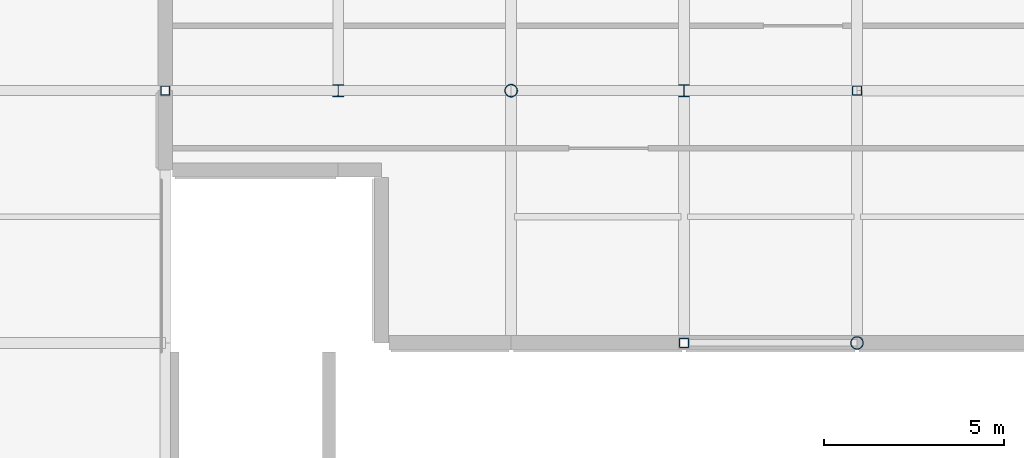
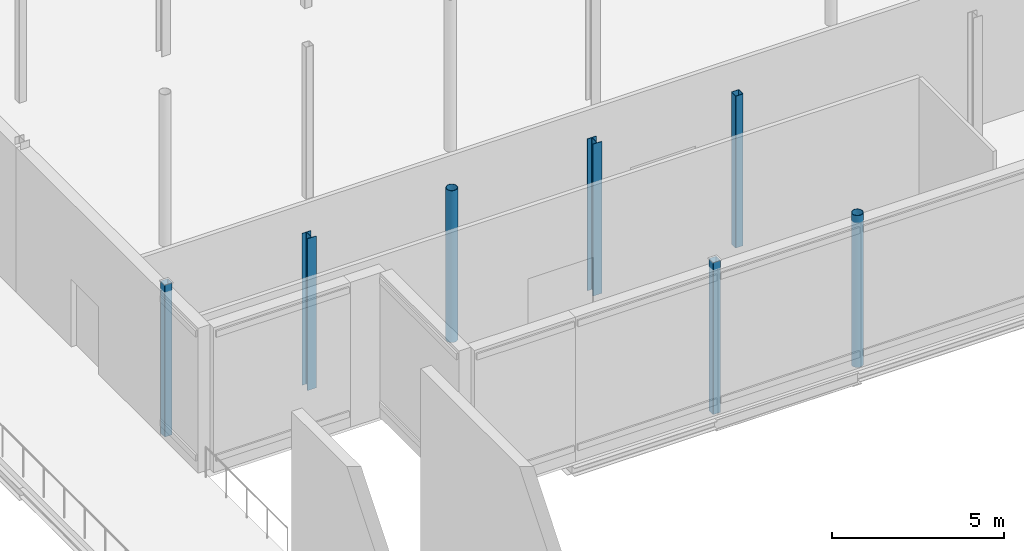
# One storey, part 3 of 147: 7 columns.
"""IFC4 building model written with IfcOpenShell, lengths in metres."""

from ifc_helpers import new_model, si_unit, direction, frame, origin, origin_2d, place, context, subcontext, project, spatial, hollow_rectangle, hollow_circle, i_section, extrude, material, material_profile, profile_set, type_object, element, save


model = new_model("IFC4")

# Units and contexts
model_context = context("Model", 3, precision=1e-05, world=origin(), true_north=direction((0.0, 1.0)))
body_context = subcontext(model_context, "Body", "Model", "MODEL_VIEW")
ifc_project = project(units=[si_unit("LENGTHUNIT", "METRE"), si_unit("AREAUNIT", "SQUARE_METRE"), si_unit("VOLUMEUNIT", "CUBIC_METRE"), si_unit("PLANEANGLEUNIT", "RADIAN"), si_unit("MASSUNIT", "GRAM", prefix="KILO")], contexts=[model_context])

# Site, building, storey
site_placement = place(None, origin())
site = spatial("IfcSite", under=ifc_project, at=site_placement, CompositionType="ELEMENT")
building_placement = place(site_placement, origin())
building = spatial("IfcBuilding", under=site, at=building_placement, Name="Vekula Escarpment Museum", CompositionType="ELEMENT")
storey_placement = place(building_placement, frame((0.0, 0.0, 7.800048828125)))
storey = spatial("IfcBuildingStorey", under=building, at=storey_placement, Name="L02", CompositionType="ELEMENT", Elevation=7.800048828125)

# Columns
ifc_material_1 = material(Name="Steel S355", Category="steel")
ifc_material_profile_1 = material_profile(ifc_material_1, hollow_circle(Radius=0.177734375, WallThickness=0.01611328125, at=origin_2d()), Name="CHS 355.6x16")
ifc_profile_set_1 = profile_set([ifc_material_profile_1], Name="Steel S355")
column_type_1 = type_object("IfcColumnType", Name="COL-S-CHS355", PredefinedType="COLUMN", material=ifc_profile_set_1)
for number, where, z_axis, x_axis, name in (
    (1, (14.39990234375, 59.60009765625, 0.0), (0.0, 0.0, 1.0), (1.0, 0.0, 0.0), "Column L02 (14.4,59.6)"),
    (2, (24.0, 52.60009765625, 0.0), (0.0, 0.0, 1.0), (1.0, 0.0, 0.0), "Column L02 (24.0,52.6)"),
):
    element("IfcColumn", number, at=place(storey_placement, frame(where, z_axis=z_axis, x_axis=x_axis)), inside=storey, type_object=column_type_1, Name=name, PredefinedType="COLUMN", context=body_context, shape_type="SweptSolid", body=[
        extrude(hollow_circle(Radius=0.177734375, WallThickness=0.01611328125, at=origin_2d()), origin(), (0.0, 0.0, 1.0), 5.39990234375),
    ])
ifc_material_2 = material(Name="Steel S355", Category="steel")
ifc_material_profile_2 = material_profile(ifc_material_2, i_section(OverallWidth=0.300048828125, OverallDepth=0.330078125, WebThickness=0.009521484375, FlangeThickness=0.0166015625, FilletRadius=0.027099609375, at=origin_2d()), Name="HEA 340")
ifc_profile_set_2 = profile_set([ifc_material_profile_2], Name="Steel S355")
column_type_2 = type_object("IfcColumnType", Name="COL-S-HEA340", PredefinedType="COLUMN", material=ifc_profile_set_2)
for number, where, z_axis, x_axis, name in (
    (3, (9.60009765625, 59.60009765625, 0.0), (0.0, 0.0, 1.0), (1.0, 0.0, 0.0), "Column L02 (9.6,59.6)"),
    (4, (19.199951171875, 59.60009765625, 0.0), (0.0, 0.0, 1.0), (1.0, 0.0, 0.0), "Column L02 (19.2,59.6)"),
):
    element("IfcColumn", number, at=place(storey_placement, frame(where, z_axis=z_axis, x_axis=x_axis)), inside=storey, type_object=column_type_2, Name=name, PredefinedType="COLUMN", context=body_context, shape_type="SweptSolid", body=[
        extrude(i_section(OverallWidth=0.300048828125, OverallDepth=0.330078125, WebThickness=0.009521484375, FlangeThickness=0.0166015625, FilletRadius=0.027099609375, at=origin_2d()), origin(), (0.0, 0.0, 1.0), 5.39990234375),
    ])
ifc_material_3 = material(Name="Steel S355", Category="steel")
ifc_material_profile_3 = material_profile(ifc_material_3, hollow_rectangle(XDim=0.260009765625, YDim=0.260009765625, WallThickness=0.012451171875, InnerFilletRadius=0.012451171875, OuterFilletRadius=0.02490234375, at=origin_2d()), Name="SHS 260x260x12.5")
ifc_profile_set_3 = profile_set([ifc_material_profile_3], Name="Steel S355")
column_type_3 = type_object("IfcColumnType", Name="COL-S-SHS260", PredefinedType="COLUMN", material=ifc_profile_set_3)
for number, where, z_axis, x_axis, name in (
    (5, (4.800048828125, 59.60009765625, 0.0), (0.0, 0.0, 1.0), (1.0, 0.0, 0.0), "Column L02 (4.8,59.6)"),
    (6, (19.199951171875, 52.60009765625, 0.0), (0.0, 0.0, 1.0), (1.0, 0.0, 0.0), "Column L02 (19.2,52.6)"),
    (7, (24.0, 59.60009765625, 0.0), (0.0, 0.0, 1.0), (1.0, 0.0, 0.0), "Column L02 (24.0,59.6)"),
):
    element("IfcColumn", number, at=place(storey_placement, frame(where, z_axis=z_axis, x_axis=x_axis)), inside=storey, type_object=column_type_3, Name=name, PredefinedType="COLUMN", context=body_context, shape_type="SweptSolid", body=[
        extrude(hollow_rectangle(XDim=0.260009765625, YDim=0.260009765625, WallThickness=0.012451171875, InnerFilletRadius=0.012451171875, OuterFilletRadius=0.02490234375, at=origin_2d()), origin(), (0.0, 0.0, 1.0), 5.39990234375),
    ])

save(model, "model.ifc")
